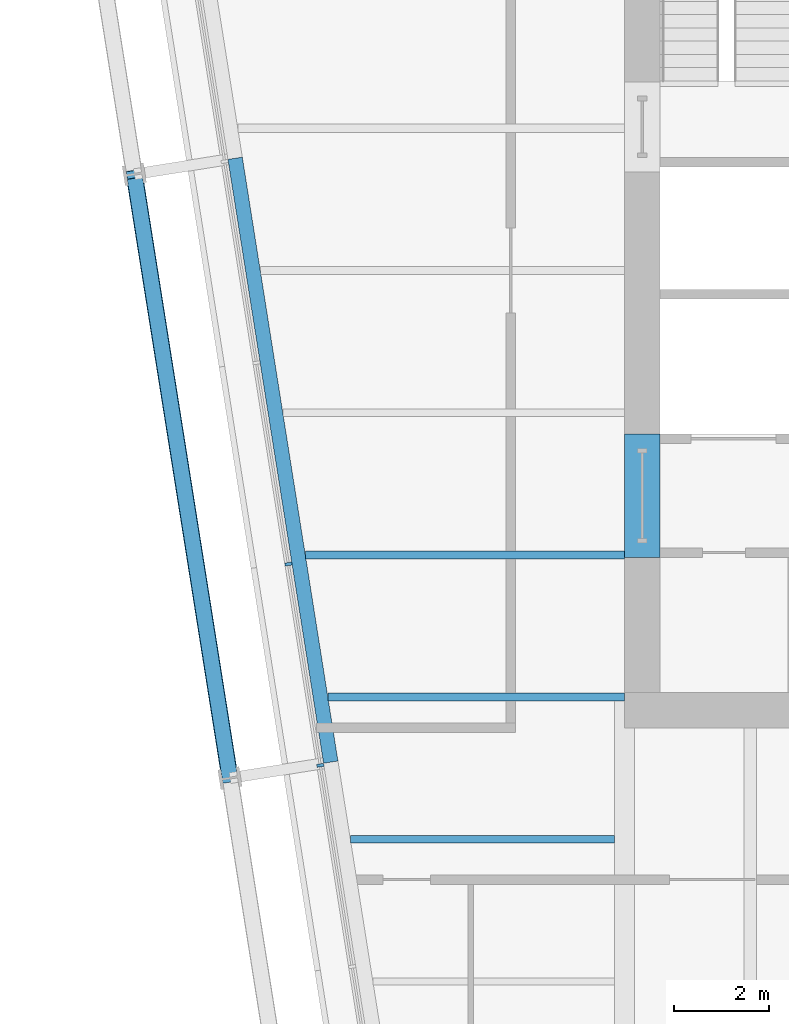
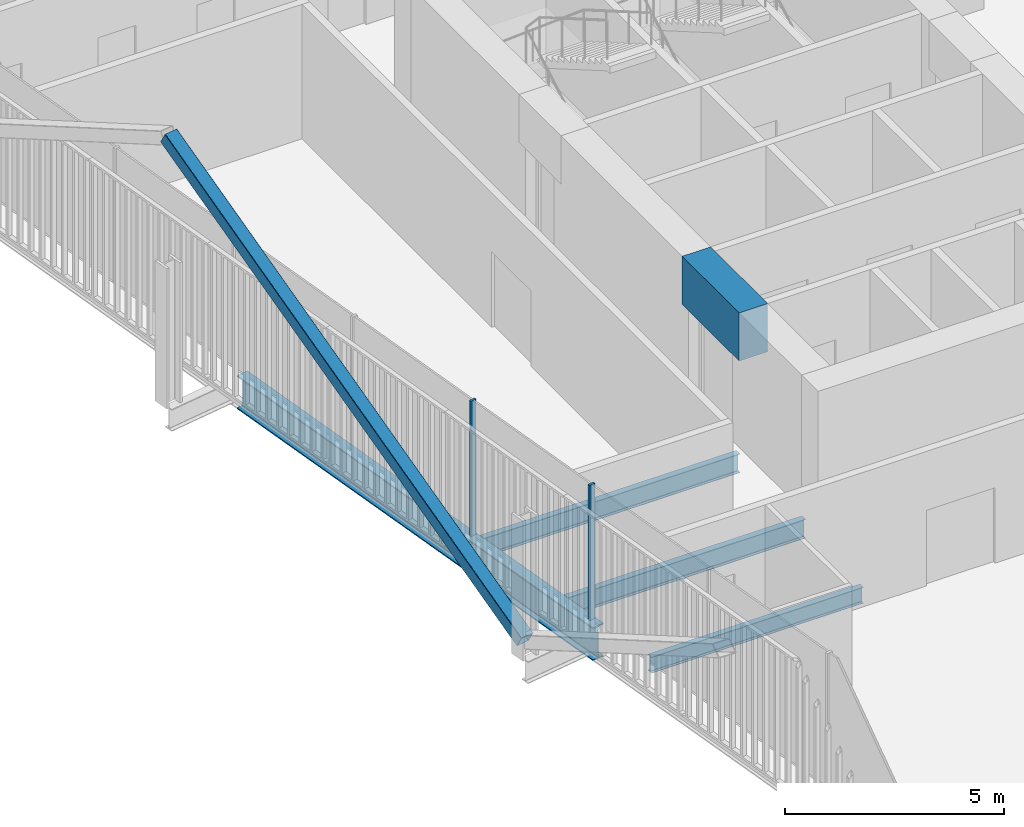
# One storey, part 4 of 22: 5 beams, 3 members, 1 element without a shape of its own.
"""IFC4 building model written with IfcOpenShell, lengths in metres."""

from ifc_helpers import new_model, si_unit, direction, frame, origin, origin_2d, place, context, subcontext, project, spatial, rectangle, hollow_rectangle, i_section, extrude, material, layer, layer_set, material_profile, profile_set, type_object, element, aggregate, save


model = new_model("IFC4")

# Units and contexts
model_context = context("Model", 3, precision=1e-05, world=origin(), true_north=direction((0.0, 1.0)))
body_context = subcontext(model_context, "Body", "Model", "MODEL_VIEW")
ifc_project = project(units=[si_unit("LENGTHUNIT", "METRE"), si_unit("AREAUNIT", "SQUARE_METRE"), si_unit("VOLUMEUNIT", "CUBIC_METRE"), si_unit("PLANEANGLEUNIT", "RADIAN"), si_unit("MASSUNIT", "GRAM", prefix="KILO")], contexts=[model_context])

# Site, building, storey
site_placement = place(None, origin())
site = spatial("IfcSite", under=ifc_project, at=site_placement, CompositionType="ELEMENT")
building_placement = place(site_placement, origin())
building = spatial("IfcBuilding", under=site, at=building_placement, Name="Millrace Tower", CompositionType="ELEMENT")
storey_placement = place(building_placement, frame((0.0, 0.0, 137.300048828125)))
storey = spatial("IfcBuildingStorey", under=building, at=storey_placement, Name="L30", CompositionType="ELEMENT", Elevation=137.300048828125)

# Curtain wall, members
ifc_material_1 = material(Name="Aluminium and glass", Category="aluminium")
ifc_layer = layer(ifc_material_1, 0.14990234375)
ifc_layer_set = layer_set([ifc_layer], Name="Aluminium and glass")
curtain_wall_type = type_object("IfcCurtainWallType", Name="CW-1 office vision curtain wall", PredefinedType="NOTDEFINED", material=ifc_layer_set)
curtain_wall_placement = place(storey_placement, origin())
curtain_wall = element("IfcCurtainWall", 1, at=curtain_wall_placement, inside=storey, type_object=curtain_wall_type, Name="Curtain wall C-F08 L30", PredefinedType="NOTDEFINED")
ifc_material_2 = material(Name="Aluminium", Category="aluminium")
ifc_material_profile_1 = material_profile(ifc_material_2, rectangle(XDim=0.06494140625, YDim=0.14990234375, at=origin_2d()))
ifc_profile_set_1 = profile_set([ifc_material_profile_1], Name="Aluminium")
member_type_1 = type_object("IfcMemberType", Name="CW-1 office vision curtain wall mullion", PredefinedType="MULLION", material=ifc_profile_set_1)
member_1_placement = place(storey_placement, frame((-21.743408203125, -6.193603515625, 0.139892578125), z_axis=(0.0, 0.0, 1.0), x_axis=(0.15643447328, -0.98768833929, 0.0)))
member_1 = element("IfcMember", 2, at=member_1_placement, type_object=member_type_1, Name="CW1 mullion C-F08.6", PredefinedType="MULLION", context=body_context, shape_type="SweptSolid", body=[
    extrude(rectangle(XDim=0.06494140625, YDim=0.14990234375, at=origin_2d()), origin(), (0.0, 0.0, 1.0), 3.760009765625),
])
member_2_placement = place(storey_placement, frame((-21.070556640625, -10.440673828125, 0.139892578125), z_axis=(0.0, 0.0, 1.0), x_axis=(0.15643447328, -0.98768833929, 0.0)))
member_2 = element("IfcMember", 3, at=member_2_placement, type_object=member_type_1, Name="CW1 mullion C-F08.7", PredefinedType="MULLION", context=body_context, shape_type="SweptSolid", body=[
    extrude(rectangle(XDim=0.06494140625, YDim=0.14990234375, at=origin_2d()), origin(), (0.0, 0.0, 1.0), 3.760009765625),
])
aggregate(curtain_wall, [member_1, member_2])

# Beam
ifc_material_3 = material(Name="Concrete C70", Category="concrete")
ifc_material_profile_2 = material_profile(ifc_material_3, rectangle(XDim=0.75, YDim=1.340087890625, at=origin_2d()))
ifc_profile_set_2 = profile_set([ifc_material_profile_2], Name="Concrete C70")
beam_type_1 = type_object("IfcBeamType", Name="Coupling beam 750 x 1340 Concrete C70, 2000 opening", PredefinedType="BEAM", material=ifc_profile_set_2)
beam_1_placement = place(storey_placement, frame((-14.27490234375, -6.050048828125, 3.070068359375), z_axis=(0.0, 1.0, 0.0), x_axis=(-1.0, 0.0, 0.0)))
element("IfcBeam", 4, at=beam_1_placement, inside=storey, type_object=beam_type_1, Name="Coupling beam W L30", PredefinedType="BEAM", context=body_context, shape_type="SweptSolid", body=[
    extrude(rectangle(XDim=0.75, YDim=1.340087890625, at=origin_2d()), origin(), (0.0, 0.0, 1.0), 2.60009765625),
])

# Member
ifc_material_4 = material(Name="Steel ASTM A500 Grade C", Category="steel")
ifc_material_profile_3 = material_profile(ifc_material_4, hollow_rectangle(XDim=0.355712890625, YDim=0.355712890625, WallThickness=0.015869140625, InnerFilletRadius=0.008056640625, OuterFilletRadius=0.02392578125, at=origin_2d()))
ifc_profile_set_3 = profile_set([ifc_material_profile_3], Name="Steel ASTM A500 Grade C")
member_type_2 = type_object("IfcMemberType", Name="Exoskeleton brace HSS14x14x5/8", PredefinedType="BRACE", material=ifc_profile_set_3)
member_3_placement = place(storey_placement, frame((-22.97705078125, -10.709716796875, 0.39990234375), z_axis=(-0.137499609887, 0.868113917345, 0.476940335673), x_axis=(-0.987687659758, -0.156438763615, 0.0)))
element("IfcMember", 5, at=member_3_placement, inside=storey, type_object=member_type_2, Name="BRC-C-L30-15", PredefinedType="BRACE", context=body_context, shape_type="SweptSolid", body=[
    extrude(hollow_rectangle(XDim=0.355712890625, YDim=0.355712890625, WallThickness=0.015869140625, InnerFilletRadius=0.008056640625, OuterFilletRadius=0.02392578125, at=origin_2d()), origin(), (0.0, 0.0, 1.0), 14.677001953125),
])

# Beams
ifc_material_5 = material(Name="Steel ASTM A992 Grade 50", Category="steel")
ifc_material_profile_4 = material_profile(ifc_material_5, i_section(OverallWidth=0.15234375, OverallDepth=0.449462890625, WebThickness=0.007568359375, FlangeThickness=0.0107421875, FilletRadius=0.01025390625, at=origin_2d()))
ifc_profile_set_4 = profile_set([ifc_material_profile_4], Name="Steel ASTM A992 Grade 50")
beam_type_2 = type_object("IfcBeamType", Name="Floor beam W18x35", PredefinedType="JOIST", material=ifc_profile_set_4)
beam_2_placement = place(storey_placement, frame((-20.4365234375, -12.0, -0.384765625), z_axis=(1.0, 0.0, 0.0), x_axis=(0.0, 1.0, 0.0)))
element("IfcBeam", 6, at=beam_2_placement, inside=storey, type_object=beam_type_2, Name="BM-C-L30-S1-S008", PredefinedType="JOIST", context=body_context, shape_type="SweptSolid", body=[
    extrude(i_section(OverallWidth=0.15234375, OverallDepth=0.449462890625, WebThickness=0.007568359375, FlangeThickness=0.0107421875, FilletRadius=0.01025390625, at=origin_2d()), origin(), (0.0, 0.0, 1.0), 5.576904296875),
])
ifc_material_6 = material(Name="Steel ASTM A992 Grade 50", Category="steel")
ifc_material_profile_5 = material_profile(ifc_material_6, i_section(OverallWidth=0.1650390625, OverallDepth=0.52587890625, WebThickness=0.0087890625, FlangeThickness=0.011474609375, FilletRadius=0.0126953125, at=origin_2d()))
ifc_profile_set_5 = profile_set([ifc_material_profile_5], Name="Steel ASTM A992 Grade 50")
beam_type_3 = type_object("IfcBeamType", Name="Floor beam W21x44", PredefinedType="JOIST", material=ifc_profile_set_5)
beam_3_placement = place(storey_placement, frame((-20.91162109375, -9.0, -0.4228515625), z_axis=(1.0, 0.0, 0.0), x_axis=(0.0, 1.0, 0.0)))
element("IfcBeam", 7, at=beam_3_placement, inside=storey, type_object=beam_type_3, Name="BM-C-L30-S1-S011", PredefinedType="JOIST", context=body_context, shape_type="SweptSolid", body=[
    extrude(i_section(OverallWidth=0.1650390625, OverallDepth=0.52587890625, WebThickness=0.0087890625, FlangeThickness=0.011474609375, FilletRadius=0.0126953125, at=origin_2d()), origin(), (0.0, 0.0, 1.0), 6.26171875),
])
beam_4_placement = place(storey_placement, frame((-21.386962890625, -6.0, -0.4228515625), z_axis=(1.0, 0.0, 0.0), x_axis=(0.0, 1.0, 0.0)))
element("IfcBeam", 8, at=beam_4_placement, inside=storey, type_object=beam_type_3, Name="BM-C-L30-S1-S014", PredefinedType="JOIST", context=body_context, shape_type="SweptSolid", body=[
    extrude(i_section(OverallWidth=0.1650390625, OverallDepth=0.52587890625, WebThickness=0.0087890625, FlangeThickness=0.011474609375, FilletRadius=0.0126953125, at=origin_2d()), origin(), (0.0, 0.0, 1.0), 6.737060546875),
])
ifc_material_7 = material(Name="Steel ASTM A992 Grade 50", Category="steel")
ifc_material_profile_6 = material_profile(ifc_material_7, i_section(OverallWidth=0.307373046875, OverallDepth=0.927001953125, WebThickness=0.01953125, FlangeThickness=0.031982421875, FilletRadius=0.01904296875, at=origin_2d()))
ifc_profile_set_6 = profile_set([ifc_material_profile_6], Name="Steel ASTM A992 Grade 50")
beam_type_4 = type_object("IfcBeamType", Name="Ring beam medium span W36x194", PredefinedType="SPANDREL", material=ifc_profile_set_6)
beam_5_placement = place(storey_placement, frame((-20.849853515625, -10.372802734375, -0.62353515625), z_axis=(-0.156438763615, 0.987687659758, 0.0), x_axis=(-0.987687659758, -0.156438763615, 0.0)))
element("IfcBeam", 9, at=beam_5_placement, inside=storey, type_object=beam_type_4, Name="RNG-C-L30-S1-02", PredefinedType="SPANDREL", context=body_context, shape_type="SweptSolid", body=[
    extrude(i_section(OverallWidth=0.307373046875, OverallDepth=0.927001953125, WebThickness=0.01953125, FlangeThickness=0.031982421875, FilletRadius=0.01904296875, at=origin_2d()), origin(), (0.0, 0.0, 1.0), 12.900146484375),
])

save(model, "model.ifc")
